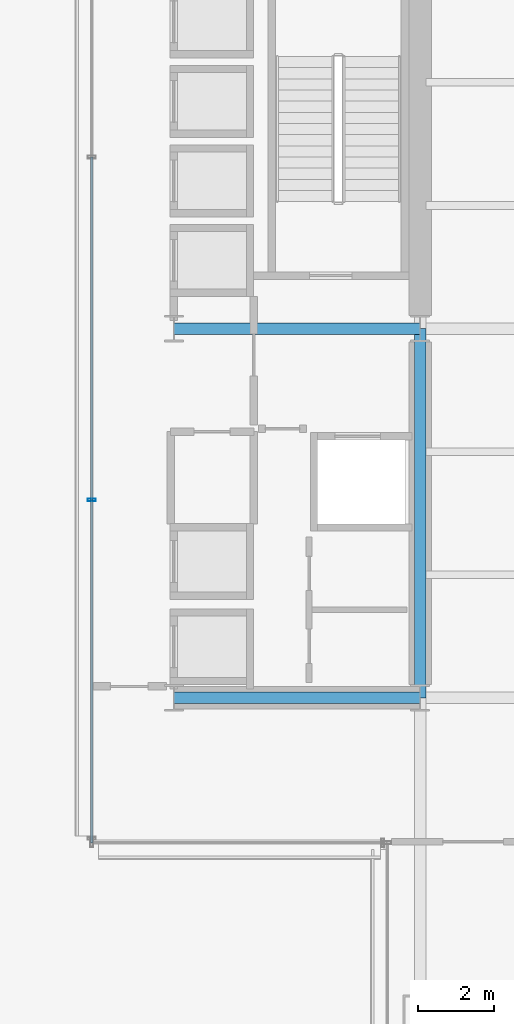
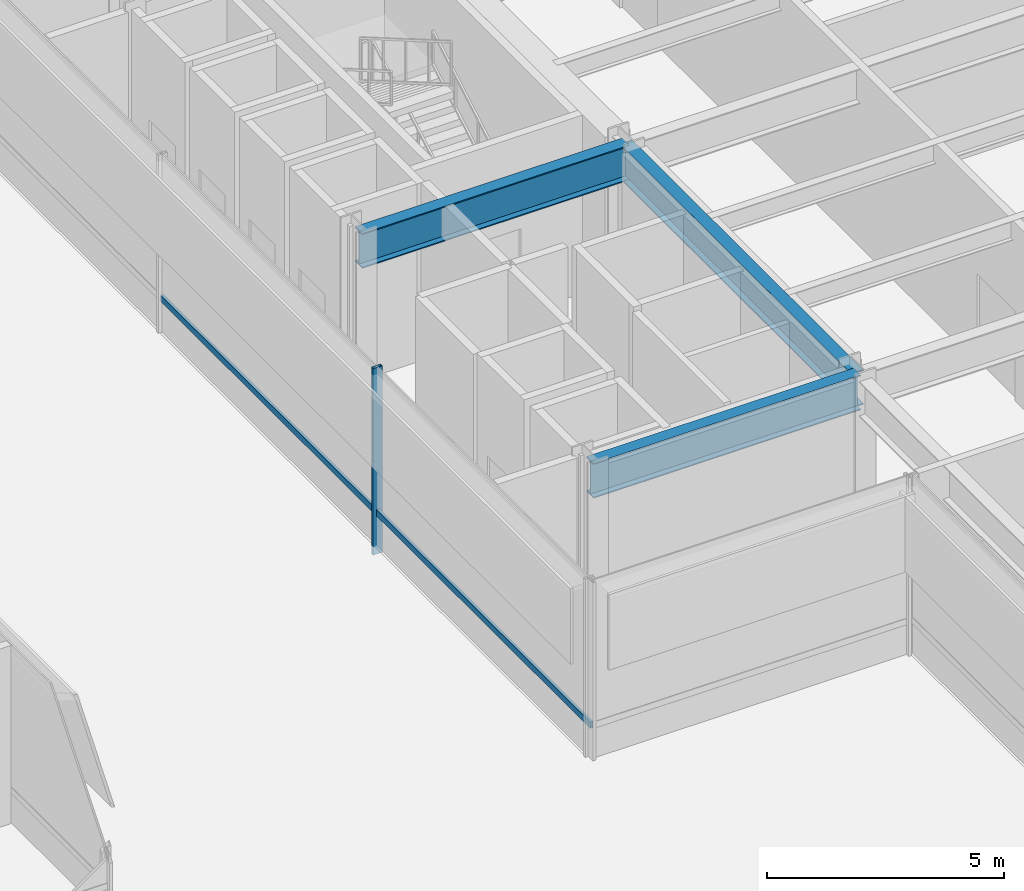
# One storey, part 10 of 37: 3 beams, 3 members, 1 element without a shape of its own.
"""IFC4 building model written with IfcOpenShell, lengths in metres."""

import ifcopenshell
import ifcopenshell.guid

model = None  # the IFC model being written
_history = None  # IfcOwnerHistory: only IFC2X3 demands one
_inside = {}  # id of a spatial element -> (the spatial element, [elements in it])
_under = {}  # id of a project, library or spatial element -> (it, [spatial elements below it])
_declared = {}  # id of a project -> (the project, [libraries it declares])
_typed = {}  # id of a type object -> (the type object, [elements of that type])
_made_of = {}  # id of a material, layer set ... -> (it, [elements and type objects made of it])


def new_model(schema):
    """Start an empty IFC model of exactly this schema.

    Asked for "IFC4X3", IfcOpenShell would pick the latest addendum, in which some entities
    have other attributes; the version numbers below select the first issue.
    IFC2X3 requires an IfcOwnerHistory on every rooted entity: one is made here for all.
    """
    global model, _history
    if schema == "IFC4X3":
        model = ifcopenshell.file(schema_version=(4, 3, 0, 0))
    else:
        model = ifcopenshell.file(schema=schema)
    _inside.clear()
    _under.clear()
    _declared.clear()
    _typed.clear()
    _made_of.clear()
    _history = None
    if model.schema == "IFC2X3":
        org = make("IfcOrganization", Name="unknown")
        user = make(
            "IfcPersonAndOrganization",
            ThePerson=make("IfcPerson", FamilyName="unknown"),
            TheOrganization=org,
        )
        app = make(
            "IfcApplication",
            ApplicationDeveloper=org,
            Version="unknown",
            ApplicationFullName="unknown",
            ApplicationIdentifier="unknown",
        )
        _history = make(
            "IfcOwnerHistory",
            OwningUser=user,
            OwningApplication=app,
            ChangeAction="ADDED",
            CreationDate=0,
        )
    return model


def make(cls, **values):
    """One entity of the class cls with the attributes given. An attribute that is None is left unset."""
    return model.create_entity(
        cls, **{name: value for name, value in values.items() if value is not None}
    )


def rooted(cls, **values):
    """An entity with a GlobalId (a new one), such as an element, a storey or a relation."""
    return make(cls, GlobalId=ifcopenshell.guid.new(), OwnerHistory=_history, **values)


def si_unit(unit_type, name, prefix=None):
    """IfcSIUnit, for example si_unit("LENGTHUNIT", "METRE", prefix="MILLI")."""
    return make("IfcSIUnit", UnitType=unit_type, Prefix=prefix, Name=name)


def assignment(units):
    """IfcUnitAssignment: the units of a project."""
    return None if units is None else make("IfcUnitAssignment", Units=units)


def point(xyz):
    """IfcCartesianPoint."""
    return None if xyz is None else make("IfcCartesianPoint", Coordinates=xyz)


def direction(xyz):
    """IfcDirection."""
    return None if xyz is None else make("IfcDirection", DirectionRatios=xyz)


def frame(location, z_axis=None, x_axis=None):
    """IfcAxis2Placement3D, a coordinate frame: its origin and axes. An axis left out is left unset."""
    return make(
        "IfcAxis2Placement3D",
        Location=point(location),
        Axis=direction(z_axis),
        RefDirection=direction(x_axis),
    )


def frame_2d(location, x_axis=None):
    """IfcAxis2Placement2D, a coordinate frame in the plane: its origin and x axis."""
    return make(
        "IfcAxis2Placement2D", Location=point(location), RefDirection=direction(x_axis)
    )


def origin():
    """The frame at (0, 0, 0) with its axes left unset."""
    return frame((0.0, 0.0, 0.0))


def origin_2d():
    """The frame at (0, 0) in the plane with its x axis left unset."""
    return frame_2d((0.0, 0.0))


def place(relative_to, where):
    """IfcLocalPlacement: puts the frame where relative to a parent placement (None: the world)."""
    return make(
        "IfcLocalPlacement", PlacementRelTo=relative_to, RelativePlacement=where
    )


def context(
    kind, dimensions, precision=None, world=None, true_north=None, identifier=None
):
    """IfcGeometricRepresentationContext, for example the 3D "Model" context."""
    return make(
        "IfcGeometricRepresentationContext",
        ContextIdentifier=identifier,
        ContextType=kind,
        CoordinateSpaceDimension=dimensions,
        Precision=precision,
        WorldCoordinateSystem=world,
        TrueNorth=true_north,
    )


def subcontext(parent, identifier, kind, view, scale=None):
    """IfcGeometricRepresentationSubContext, for example "Body" below "Model"."""
    return make(
        "IfcGeometricRepresentationSubContext",
        ContextIdentifier=identifier,
        ContextType=kind,
        ParentContext=parent,
        TargetScale=scale,
        TargetView=view,
    )


def project(units=None, contexts=None):
    """IfcProject with its units and contexts."""
    return rooted(
        "IfcProject",
        Name="project",
        RepresentationContexts=contexts,
        UnitsInContext=assignment(units),
    )


def spatial(cls, under=None, at=None, **own):
    """A site, building, storey or space (cls), placed at a placement, below another one or the project."""
    s = rooted(cls, ObjectPlacement=at, **own)
    if under is not None:
        _under.setdefault(under.id(), (under, []))[1].append(s)
    return s


def profile(cls, at=None, kind="AREA", **sizes):
    """A parametric profile (cls). Its sizes go by their IFC names, for example OverallWidth=200.0."""
    return make(cls, ProfileType=kind, Position=at, **sizes)


def hollow_rectangle(**sizes):
    """IfcRectangleHollowProfileDef."""
    return profile("IfcRectangleHollowProfileDef", **sizes)


def i_section(**sizes):
    """IfcIShapeProfileDef."""
    return profile("IfcIShapeProfileDef", **sizes)


def extrude(swept, where, along, depth):
    """IfcExtrudedAreaSolid: the profile swept, set in the frame where, extruded along a direction by depth."""
    return make(
        "IfcExtrudedAreaSolid",
        SweptArea=swept,
        Position=where,
        ExtrudedDirection=direction(along),
        Depth=depth,
    )


def shape(context_of_items, identifier, shape_type, items):
    """IfcShapeRepresentation: the items that make up one representation, for example the "Body"."""
    return make(
        "IfcShapeRepresentation",
        ContextOfItems=context_of_items,
        RepresentationIdentifier=identifier,
        RepresentationType=shape_type,
        Items=items,
    )


def material(Name=None, Category=None):
    """IfcMaterial."""
    return make("IfcMaterial", Name=Name, Category=Category)


def layer(
    of_material, thickness, ventilated=None, Name=None, Category=None, Priority=None
):
    """IfcMaterialLayer: one layer of a wall or slab, of a material (None: an air gap)."""
    return make(
        "IfcMaterialLayer",
        Material=of_material,
        LayerThickness=thickness,
        IsVentilated=ventilated,
        Name=Name,
        Category=Category,
        Priority=Priority,
    )


def layer_set(layers, Name=None):
    """IfcMaterialLayerSet."""
    return make("IfcMaterialLayerSet", MaterialLayers=layers, LayerSetName=Name)


def material_profile(
    of_material, cross_section, Name=None, Category=None, Priority=None
):
    """IfcMaterialProfile: a cross section and its material."""
    return make(
        "IfcMaterialProfile",
        Name=Name,
        Material=of_material,
        Profile=cross_section,
        Priority=Priority,
        Category=Category,
    )


def profile_set(profiles, Name=None, composite=None):
    """IfcMaterialProfileSet."""
    return make(
        "IfcMaterialProfileSet",
        Name=Name,
        MaterialProfiles=profiles,
        CompositeProfile=composite,
    )


def made_of(thing, what):
    """Note that an element or type object is made of a material, layer set ...; save() writes the relation."""
    if what is not None:
        _made_of.setdefault(what.id(), (what, []))[1].append(thing)
    return thing


def type_object(cls, material=None, **own):
    """A type object (cls), such as IfcWallType, which elements share."""
    return made_of(rooted(cls, **own), material)


def element(
    cls,
    number,
    at=None,
    inside=None,
    cuts=None,
    type_object=None,
    material=None,
    context=None,
    identifier="Body",
    shape_type=None,
    held_by="IfcProductDefinitionShape",
    body=None,
    shapes=None,
    **own,
):
    """One element of the class cls, such as IfcWall. Its Tag is "e" and its number.

    at: its placement. inside: the storey or other place that contains it. cuts: it is an
    opening in that element (IfcRelVoidsElement). A single representation is given by context,
    identifier, shape_type and body (its items); several are given by shapes. held_by: the class
    of the entity that holds the representations. save() writes the other relations.
    """
    e = rooted(cls, Tag="e%d" % number, ObjectPlacement=at, **own)
    if body is not None:
        shapes = [shape(context, identifier, shape_type, body)]
    if shapes is not None:
        e.Representation = make(held_by, Representations=shapes)
    if inside is not None:
        _inside.setdefault(inside.id(), (inside, []))[1].append(e)
    if cuts is not None:
        rooted(
            "IfcRelVoidsElement", RelatingBuildingElement=cuts, RelatedOpeningElement=e
        )
    if type_object is not None:
        _typed.setdefault(type_object.id(), (type_object, []))[1].append(e)
    return made_of(e, material)


def aggregate(whole, parts):
    """IfcRelAggregates: a whole, such as a stair, and the parts it consists of."""
    return rooted("IfcRelAggregates", RelatingObject=whole, RelatedObjects=parts)


def save(model, path):
    """Write the relations noted so far, then the file.

    IfcRelAggregates (storeys below a building ...), IfcRelContainedInSpatialStructure (elements
    in a storey), IfcRelDefinesByType, IfcRelAssociatesMaterial and IfcRelDeclares: one each for
    every whole, place, type object, material and project.
    """
    for whole, parts in _under.values():
        aggregate(whole, parts)
    for where, things in _inside.values():
        rooted(
            "IfcRelContainedInSpatialStructure",
            RelatedElements=things,
            RelatingStructure=where,
        )
    for kind, things in _typed.values():
        rooted("IfcRelDefinesByType", RelatedObjects=things, RelatingType=kind)
    for what, things in _made_of.values():
        rooted("IfcRelAssociatesMaterial", RelatedObjects=things, RelatingMaterial=what)
    for by, libraries in _declared.values():
        rooted("IfcRelDeclares", RelatingContext=by, RelatedDefinitions=libraries)
    model.write(path)


model = new_model("IFC4")

# Units and contexts
model_context = context("Model", 3, precision=1e-05, world=origin(), true_north=direction((0.0, 1.0)))
body_context = subcontext(model_context, "Body", "Model", "MODEL_VIEW")
ifc_project = project(units=[si_unit("LENGTHUNIT", "METRE"), si_unit("AREAUNIT", "SQUARE_METRE"), si_unit("VOLUMEUNIT", "CUBIC_METRE"), si_unit("PLANEANGLEUNIT", "RADIAN"), si_unit("MASSUNIT", "GRAM", prefix="KILO")], contexts=[model_context])

# Site, building, storey
site_placement = place(None, origin())
site = spatial("IfcSite", under=ifc_project, at=site_placement, CompositionType="ELEMENT")
building_placement = place(site_placement, origin())
building = spatial("IfcBuilding", under=site, at=building_placement, Name="Brelmoor Portico Tower", CompositionType="ELEMENT")
storey_placement = place(building_placement, origin())
storey = spatial("IfcBuildingStorey", under=building, at=storey_placement, Name="L00", CompositionType="ELEMENT", Elevation=0.0)

# Beams
ifc_material_1 = material(Name="Steel Q355B", Category="steel")
ifc_material_profile_1 = material_profile(ifc_material_1, i_section(OverallWidth=0.300048828125, OverallDepth=0.89990234375, WebThickness=0.01611328125, FlangeThickness=0.028076171875, at=origin_2d()), Name="HN 900x300x16x28")
ifc_profile_set_1 = profile_set([ifc_material_profile_1], Name="Steel Q355B")
beam_type = type_object("IfcBeamType", Name="BM-PG-900", PredefinedType="BEAM", material=ifc_profile_set_1)
beam_placement = place(storey_placement, frame((14.550048828125, -9.75, 4.1298828125), z_axis=(0.0, 1.0, 0.0), x_axis=(-1.0, 0.0, 0.0)))
element("IfcBeam", 1, at=beam_placement, inside=storey, type_object=beam_type, Name="L00 Primary Floor Girder PG-14", PredefinedType="BEAM", context=body_context, shape_type="SweptSolid", body=[
    extrude(i_section(OverallWidth=0.300048828125, OverallDepth=0.89990234375, WebThickness=0.01611328125, FlangeThickness=0.028076171875, at=origin_2d()), origin(), (0.0, 0.0, 1.0), 9.75),
])
for number, where, z_axis, x_axis, name in (
    (2, (8.050048828125, -9.75, 4.1298828125), (1.0, 0.0, 0.0), (0.0, 1.0, 0.0), "L00 Primary Floor Girder PG-27"),
    (3, (8.050048828125, 0.0, 4.1298828125), (1.0, 0.0, 0.0), (0.0, 1.0, 0.0), "L00 Primary Floor Girder PG-30"),
):
    element("IfcBeam", number, at=place(storey_placement, frame(where, z_axis=z_axis, x_axis=x_axis)), inside=storey, type_object=beam_type, Name=name, PredefinedType="BEAM", context=body_context, shape_type="SweptSolid", body=[
        extrude(i_section(OverallWidth=0.300048828125, OverallDepth=0.89990234375, WebThickness=0.01611328125, FlangeThickness=0.028076171875, at=origin_2d()), origin(), (0.0, 0.0, 1.0), 6.5),
    ])

# Curtain wall, members
ifc_material_2 = material(Name="Anodised Aluminium Alloy 6063-T6", Category="aluminium")
ifc_layer = layer(ifc_material_2, 0.179931640625)
ifc_layer_set = layer_set([ifc_layer], Name="Anodised Aluminium Alloy 6063-T6")
curtain_wall_type = type_object("IfcCurtainWallType", Name="CW-PODIUM-ARCH", PredefinedType="NOTDEFINED", material=ifc_layer_set)
curtain_wall_placement = place(storey_placement, origin())
curtain_wall = element("IfcCurtainWall", 4, at=curtain_wall_placement, inside=storey, type_object=curtain_wall_type, Name="L00 Curtain Wall CW-L00-16", PredefinedType="NOTDEFINED")
ifc_material_profile_2 = material_profile(ifc_material_2, hollow_rectangle(XDim=0.074951171875, YDim=0.219970703125, WallThickness=0.0048828125, at=origin_2d()), Name="ALU MULLION 75x220")
ifc_profile_set_2 = profile_set([ifc_material_profile_2], Name="Anodised Aluminium Alloy 6063-T6")
member_type_1 = type_object("IfcMemberType", Name="MB-CW-MULL-220", PredefinedType="MULLION", material=ifc_profile_set_2)
member_1_placement = place(storey_placement, frame((5.8798828125, -4.526611328125, -0.219970703125), z_axis=(0.0, 0.0, 1.0), x_axis=(0.0, 1.0, 0.0)))
member_1 = element("IfcMember", 5, at=member_1_placement, type_object=member_type_1, Name="CW-L00-16 Mullion 01", PredefinedType="MULLION", context=body_context, shape_type="SweptSolid", body=[
    extrude(hollow_rectangle(XDim=0.074951171875, YDim=0.219970703125, WallThickness=0.0048828125, at=origin_2d()), origin(), (0.0, 0.0, 1.0), 4.800048828125),
])
ifc_material_profile_3 = material_profile(ifc_material_2, hollow_rectangle(XDim=0.070068359375, YDim=0.159912109375, WallThickness=0.00390625, at=origin_2d()), Name="ALU TRANSOM 70x160")
ifc_profile_set_3 = profile_set([ifc_material_profile_3], Name="Anodised Aluminium Alloy 6063-T6")
member_type_2 = type_object("IfcMemberType", Name="MB-CW-TRAN-160", PredefinedType="USERDEFINED", material=ifc_profile_set_3)
member_2_placement = place(storey_placement, frame((5.8798828125, -13.580078125, 0.85009765625), z_axis=(0.0, 1.0, 0.0), x_axis=(-1.0, 0.0, 0.0)))
member_2 = element("IfcMember", 6, at=member_2_placement, type_object=member_type_2, Name="CW-L00-16 Transom 1-00", ObjectType="TRANSOM", PredefinedType="USERDEFINED", context=body_context, shape_type="SweptSolid", body=[
    extrude(hollow_rectangle(XDim=0.070068359375, YDim=0.159912109375, WallThickness=0.00390625, at=origin_2d()), origin(), (0.0, 0.0, 1.0), 9.053466796875),
])
member_3_placement = place(storey_placement, frame((5.8798828125, -4.526611328125, 0.85009765625), z_axis=(0.0, 1.0, 0.0), x_axis=(-1.0, 0.0, 0.0)))
member_3 = element("IfcMember", 7, at=member_3_placement, type_object=member_type_2, Name="CW-L00-16 Transom 1-01", ObjectType="TRANSOM", PredefinedType="USERDEFINED", context=body_context, shape_type="SweptSolid", body=[
    extrude(hollow_rectangle(XDim=0.070068359375, YDim=0.159912109375, WallThickness=0.00390625, at=origin_2d()), origin(), (0.0, 0.0, 1.0), 9.05322265625),
])
aggregate(curtain_wall, [member_1, member_2, member_3])

save(model, "model.ifc")
